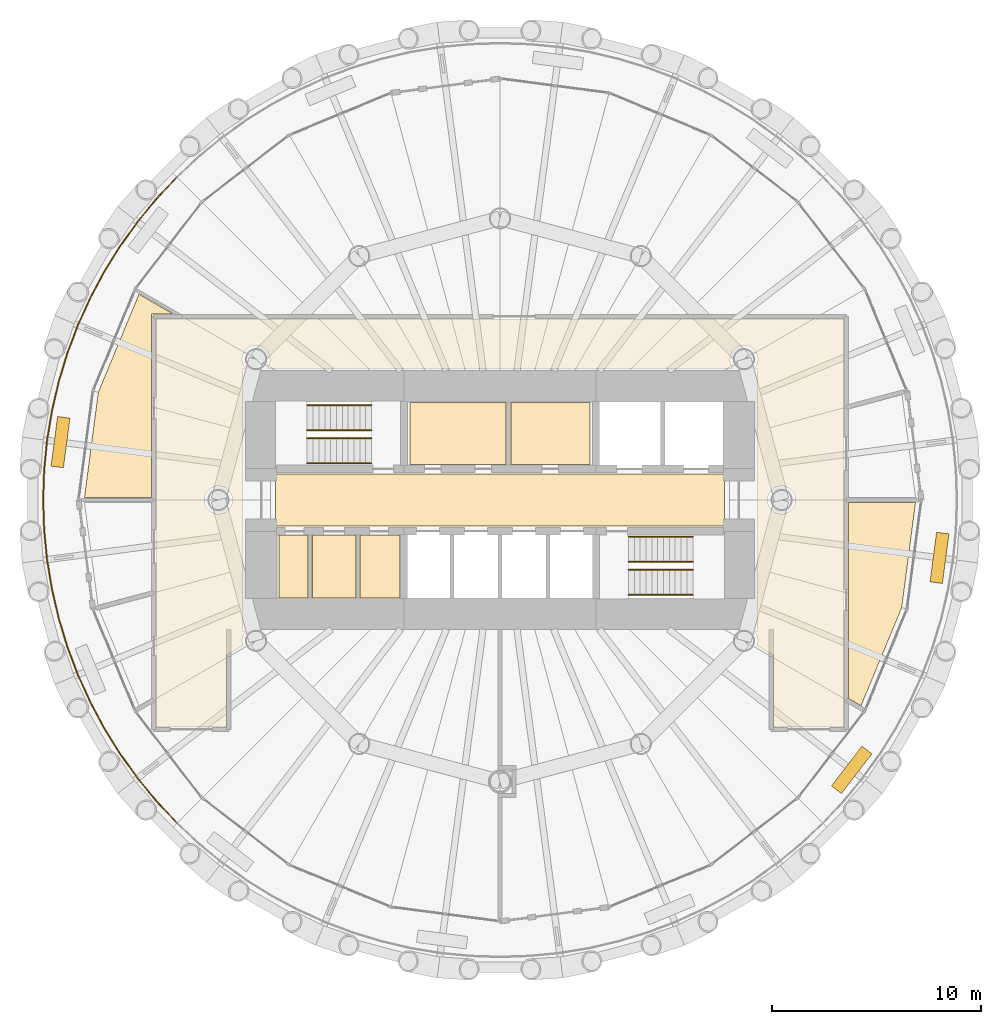
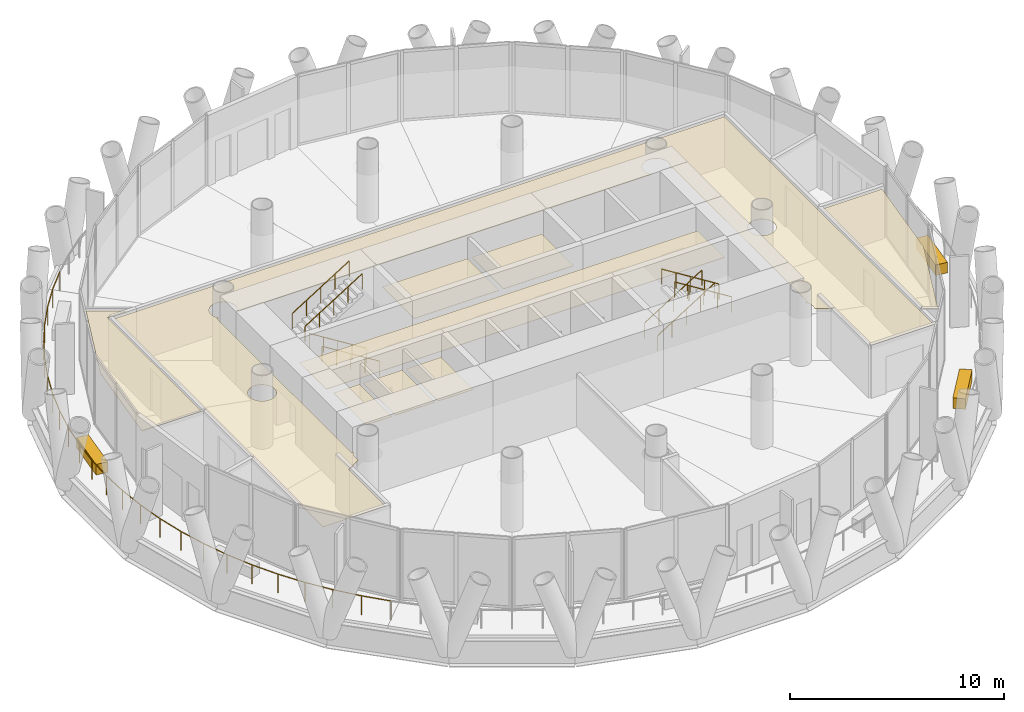
# One storey, part 12 of 13: 12 coverings, 9 railings.
"""IFC4 building model written with IfcOpenShell, lengths in metres."""

from ifc_helpers import new_model, si_unit, direction, frame, origin, origin_2d, place, context, subcontext, project, spatial, polyline, rectangle, circle, outline, extrude, material, layer, layer_set, type_object, element, save


model = new_model("IFC4")

# Units and contexts
model_context = context("Model", 3, precision=1e-05, world=origin(), true_north=direction((0.0, 1.0)))
body_context = subcontext(model_context, "Body", "Model", "MODEL_VIEW")
ifc_project = project(units=[si_unit("LENGTHUNIT", "METRE"), si_unit("AREAUNIT", "SQUARE_METRE"), si_unit("VOLUMEUNIT", "CUBIC_METRE"), si_unit("PLANEANGLEUNIT", "RADIAN"), si_unit("MASSUNIT", "GRAM", prefix="KILO")], contexts=[model_context])

# Site, building, storey
site_placement = place(None, origin())
site = spatial("IfcSite", under=ifc_project, at=site_placement, CompositionType="ELEMENT")
building_placement = place(site_placement, origin())
building = spatial("IfcBuilding", under=site, at=building_placement, Name="Qaws Media Tower", CompositionType="ELEMENT")
storey_placement = place(building_placement, frame((0.0, 0.0, 219.199951171875)))
storey = spatial("IfcBuildingStorey", under=building, at=storey_placement, Name="L50", CompositionType="ELEMENT", Elevation=219.199951171875)

# Covering
ifc_material_1 = material(Name="40 perforated acoustic panels with mineral wool backing, suspended", Category="mineral fibre")
ifc_layer_1 = layer(ifc_material_1, 0.0400390625)
ifc_layer_set_1 = layer_set([ifc_layer_1], Name="Acoustic panel ceiling 40")
covering_type_1 = type_object("IfcCoveringType", Name="Acoustic panel ceiling 40", PredefinedType="CEILING", material=ifc_layer_set_1)
covering_1_placement = place(storey_placement, frame((0.0, 0.0, 2.85009765625)))
element("IfcCovering", 1, at=covering_1_placement, inside=storey, type_object=covering_type_1, Name="CL3 ceiling L50-04 Meeting room", PredefinedType="CEILING", context=body_context, shape_type="SweptSolid", body=[
    extrude(outline(polyline([(40.743896484375, 55.15966796875), (42.692138671875, 59.86279296875), (44.338134765625, 58.91259765625), (43.28759765625, 58.91259765625), (43.28759765625, 50.112548828125), (40.07958984375, 50.112548828125), (40.743896484375, 55.15966796875)])), origin(), (0.0, 0.0, 1.0), 0.0400390625),
])

# Railing
ifc_material_2 = material(Name="Stainless steel and glass guard", Category="steel")
railing_type_1 = type_object("IfcRailingType", Name="Balcony guard 1100", PredefinedType="GUARDRAIL", material=ifc_material_2)
railing_placement = place(storey_placement, frame((44.514404296875, 65.485595703125, 0.0)))
element("IfcRailing", 2, at=railing_placement, inside=storey, type_object=railing_type_1, Name="GR1 balcony guard L50-2", PredefinedType="GUARDRAIL", context=body_context, shape_type="SweptSolid", body=[
    extrude(circle(Radius=0.02392578125, at=origin_2d()), frame((0.0, 0.0, 1.076171875), z_axis=(-0.683646399901, -0.729813400742, 0.0), x_axis=(0.729813400742, -0.683646399901, 0.0)), (0.0, 0.0, 1.0), 1.43310546875),
    extrude(circle(Radius=0.02392578125, at=origin_2d()), frame((-0.979736328125, -1.0458984375, 1.076171875), z_axis=(-0.634368818462, -0.773030531197, 0.0), x_axis=(0.773030531197, -0.634368818462, 0.0)), (0.0, 0.0, 1.0), 1.43310546875),
    extrude(circle(Radius=0.02392578125, at=origin_2d()), frame((-1.888916015625, -2.15380859375, 1.076171875), z_axis=(-0.582494553482, -0.812834605048, 0.0), x_axis=(0.812834605048, -0.582494553482, 0.0)), (0.0, 0.0, 1.0), 1.43310546875),
    extrude(circle(Radius=0.02392578125, at=origin_2d()), frame((-2.7236328125, -3.318603515625, 1.076171875), z_axis=(-0.52808355024, -0.849192418693, 0.0), x_axis=(0.849192418693, -0.52808355024, 0.0)), (0.0, 0.0, 1.0), 1.43310546875),
    extrude(circle(Radius=0.02392578125, at=origin_2d()), frame((-3.48046875, -4.53564453125, 1.076171875), z_axis=(-0.471374986643, -0.881932889719, 0.0), x_axis=(0.881932889719, -0.471374986643, 0.0)), (0.0, 0.0, 1.0), 1.43310546875),
    extrude(circle(Radius=0.02392578125, at=origin_2d()), frame((-4.156005859375, -5.799560546875, 1.076171875), z_axis=(-0.412672948505, -0.910879266188, 0.0), x_axis=(0.910879266188, -0.412672948505, 0.0)), (0.0, 0.0, 1.0), 1.432861328125),
    extrude(circle(Radius=0.02392578125, at=origin_2d()), frame((-4.747314453125, -7.104736328125, 1.076171875), z_axis=(-0.352280609414, -0.935894423656, 0.0), x_axis=(0.935894423656, -0.352280609414, 0.0)), (0.0, 0.0, 1.0), 1.43310546875),
    extrude(circle(Radius=0.02392578125, at=origin_2d()), frame((-5.252197265625, -8.446044921875, 1.076171875), z_axis=(-0.290300539864, -0.956935523719, 0.0), x_axis=(0.956935523719, -0.290300539864, 0.0)), (0.0, 0.0, 1.0), 1.43310546875),
    extrude(circle(Radius=0.02392578125, at=origin_2d()), frame((-5.668212890625, -9.8173828125, 1.076171875), z_axis=(-0.227073445694, -0.973877636185, 0.0), x_axis=(0.973877636185, -0.227073445694, 0.0)), (0.0, 0.0, 1.0), 1.43310546875),
    extrude(circle(Radius=0.02392578125, at=origin_2d()), frame((-5.99365234375, -11.213134765625, 1.076171875), z_axis=(-0.162879224656, -0.986646014625, 0.0), x_axis=(0.986646014625, -0.162879224656, 0.0)), (0.0, 0.0, 1.0), 1.432861328125),
    extrude(circle(Radius=0.02392578125, at=origin_2d()), frame((-6.22705078125, -12.626953125, 1.076171875), z_axis=(-0.097951885, -0.995191151601, 0.0), x_axis=(0.995191151601, -0.097951885, 0.0)), (0.0, 0.0, 1.0), 1.43310546875),
    extrude(circle(Radius=0.02392578125, at=origin_2d()), frame((-6.367431640625, -14.05322265625, 1.076171875), z_axis=(-0.032707903707, -0.99946495338, 0.0), x_axis=(0.99946495338, -0.032707903707, 0.0)), (0.0, 0.0, 1.0), 1.43310546875),
    extrude(circle(Radius=0.02392578125, at=origin_2d()), frame((-6.414306640625, -15.485595703125, 1.076171875), z_axis=(0.032707903707, -0.99946495338, 0.0), x_axis=(0.99946495338, 0.032707903707, 0.0)), (0.0, 0.0, 1.0), 1.43310546875),
    extrude(circle(Radius=0.02392578125, at=origin_2d()), frame((-6.367431640625, -16.91796875, 1.076171875), z_axis=(0.097951885, -0.995191151601, 0.0), x_axis=(0.995191151601, 0.097951885, 0.0)), (0.0, 0.0, 1.0), 1.43310546875),
    extrude(circle(Radius=0.02392578125, at=origin_2d()), frame((-6.22705078125, -18.34423828125, 1.076171875), z_axis=(0.162879224656, -0.986646014625, 0.0), x_axis=(0.986646014625, 0.162879224656, 0.0)), (0.0, 0.0, 1.0), 1.432861328125),
    extrude(circle(Radius=0.02392578125, at=origin_2d()), frame((-5.99365234375, -19.758056640625, 1.076171875), z_axis=(0.227073445694, -0.973877636185, 0.0), x_axis=(0.973877636185, 0.227073445694, 0.0)), (0.0, 0.0, 1.0), 1.43310546875),
    extrude(circle(Radius=0.02392578125, at=origin_2d()), frame((-5.668212890625, -21.15380859375, 1.076171875), z_axis=(0.290300539864, -0.956935523719, 0.0), x_axis=(0.956935523719, 0.290300539864, 0.0)), (0.0, 0.0, 1.0), 1.43310546875),
    extrude(circle(Radius=0.02392578125, at=origin_2d()), frame((-5.252197265625, -22.525146484375, 1.076171875), z_axis=(0.352280609414, -0.935894423656, 0.0), x_axis=(0.935894423656, 0.352280609414, 0.0)), (0.0, 0.0, 1.0), 1.43310546875),
    extrude(circle(Radius=0.02392578125, at=origin_2d()), frame((-4.747314453125, -23.866455078125, 1.076171875), z_axis=(0.412672948505, -0.910879266188, 0.0), x_axis=(0.910879266188, 0.412672948505, 0.0)), (0.0, 0.0, 1.0), 1.432861328125),
    extrude(circle(Radius=0.02392578125, at=origin_2d()), frame((-4.156005859375, -25.171630859375, 1.076171875), z_axis=(0.471374986643, -0.881932889719, 0.0), x_axis=(0.881932889719, 0.471374986643, 0.0)), (0.0, 0.0, 1.0), 1.43310546875),
    extrude(circle(Radius=0.02392578125, at=origin_2d()), frame((-3.48046875, -26.435546875, 1.076171875), z_axis=(0.52808355024, -0.849192418693, 0.0), x_axis=(0.849192418693, 0.52808355024, 0.0)), (0.0, 0.0, 1.0), 1.43310546875),
    extrude(circle(Radius=0.02392578125, at=origin_2d()), frame((-2.7236328125, -27.652587890625, 1.076171875), z_axis=(0.582494553482, -0.812834605048, 0.0), x_axis=(0.812834605048, 0.582494553482, 0.0)), (0.0, 0.0, 1.0), 1.43310546875),
    extrude(circle(Radius=0.02392578125, at=origin_2d()), frame((-1.888916015625, -28.8173828125, 1.076171875), z_axis=(0.634368818462, -0.773030531197, 0.0), x_axis=(0.773030531197, 0.634368818462, 0.0)), (0.0, 0.0, 1.0), 1.43310546875),
    extrude(circle(Radius=0.02392578125, at=origin_2d()), frame((-0.979736328125, -29.92529296875, 1.076171875), z_axis=(0.683646399901, -0.729813400742, 0.0), x_axis=(0.729813400742, 0.683646399901, 0.0)), (0.0, 0.0, 1.0), 1.43310546875),
    extrude(circle(Radius=0.02099609375, at=origin_2d()), origin(), (0.0, 0.0, 1.0), 1.052001953125),
    extrude(circle(Radius=0.02099609375, at=origin_2d()), frame((-0.979736328125, -1.0458984375, 0.0)), (0.0, 0.0, 1.0), 1.052001953125),
    extrude(circle(Radius=0.02099609375, at=origin_2d()), frame((-1.888916015625, -2.15380859375, 0.0)), (0.0, 0.0, 1.0), 1.052001953125),
    extrude(circle(Radius=0.02099609375, at=origin_2d()), frame((-2.7236328125, -3.318603515625, 0.0)), (0.0, 0.0, 1.0), 1.052001953125),
    extrude(circle(Radius=0.02099609375, at=origin_2d()), frame((-3.48046875, -4.53564453125, 0.0)), (0.0, 0.0, 1.0), 1.052001953125),
    extrude(circle(Radius=0.02099609375, at=origin_2d()), frame((-4.156005859375, -5.799560546875, 0.0)), (0.0, 0.0, 1.0), 1.052001953125),
    extrude(circle(Radius=0.02099609375, at=origin_2d()), frame((-4.747314453125, -7.104736328125, 0.0)), (0.0, 0.0, 1.0), 1.052001953125),
    extrude(circle(Radius=0.02099609375, at=origin_2d()), frame((-5.252197265625, -8.446044921875, 0.0)), (0.0, 0.0, 1.0), 1.052001953125),
    extrude(circle(Radius=0.02099609375, at=origin_2d()), frame((-5.668212890625, -9.8173828125, 0.0)), (0.0, 0.0, 1.0), 1.052001953125),
    extrude(circle(Radius=0.02099609375, at=origin_2d()), frame((-5.99365234375, -11.213134765625, 0.0)), (0.0, 0.0, 1.0), 1.052001953125),
    extrude(circle(Radius=0.02099609375, at=origin_2d()), frame((-6.22705078125, -12.626953125, 0.0)), (0.0, 0.0, 1.0), 1.052001953125),
    extrude(circle(Radius=0.02099609375, at=origin_2d()), frame((-6.367431640625, -14.05322265625, 0.0)), (0.0, 0.0, 1.0), 1.052001953125),
    extrude(circle(Radius=0.02099609375, at=origin_2d()), frame((-6.414306640625, -15.485595703125, 0.0)), (0.0, 0.0, 1.0), 1.052001953125),
    extrude(circle(Radius=0.02099609375, at=origin_2d()), frame((-6.367431640625, -16.91796875, 0.0)), (0.0, 0.0, 1.0), 1.052001953125),
    extrude(circle(Radius=0.02099609375, at=origin_2d()), frame((-6.22705078125, -18.34423828125, 0.0)), (0.0, 0.0, 1.0), 1.052001953125),
    extrude(circle(Radius=0.02099609375, at=origin_2d()), frame((-5.99365234375, -19.758056640625, 0.0)), (0.0, 0.0, 1.0), 1.052001953125),
    extrude(circle(Radius=0.02099609375, at=origin_2d()), frame((-5.668212890625, -21.15380859375, 0.0)), (0.0, 0.0, 1.0), 1.052001953125),
    extrude(circle(Radius=0.02099609375, at=origin_2d()), frame((-5.252197265625, -22.525146484375, 0.0)), (0.0, 0.0, 1.0), 1.052001953125),
    extrude(circle(Radius=0.02099609375, at=origin_2d()), frame((-4.747314453125, -23.866455078125, 0.0)), (0.0, 0.0, 1.0), 1.052001953125),
    extrude(circle(Radius=0.02099609375, at=origin_2d()), frame((-4.156005859375, -25.171630859375, 0.0)), (0.0, 0.0, 1.0), 1.052001953125),
    extrude(circle(Radius=0.02099609375, at=origin_2d()), frame((-3.48046875, -26.435546875, 0.0)), (0.0, 0.0, 1.0), 1.052001953125),
    extrude(circle(Radius=0.02099609375, at=origin_2d()), frame((-2.7236328125, -27.652587890625, 0.0)), (0.0, 0.0, 1.0), 1.052001953125),
    extrude(circle(Radius=0.02099609375, at=origin_2d()), frame((-1.888916015625, -28.8173828125, 0.0)), (0.0, 0.0, 1.0), 1.052001953125),
    extrude(circle(Radius=0.02099609375, at=origin_2d()), frame((-0.979736328125, -29.92529296875, 0.0)), (0.0, 0.0, 1.0), 1.052001953125),
    extrude(circle(Radius=0.02099609375, at=origin_2d()), frame((0.0, -30.97119140625, 0.0)), (0.0, 0.0, 1.0), 1.052001953125),
])

# Coverings
ifc_material_3 = material(Name="600 x 600 mineral fibre tiles in exposed grid, suspended", Category="mineral fibre")
ifc_layer_2 = layer(ifc_material_3, 0.02001953125)
ifc_layer_set_2 = layer_set([ifc_layer_2], Name="Mineral fibre tile ceiling 20")
covering_type_2 = type_object("IfcCoveringType", Name="Mineral fibre tile ceiling 20", PredefinedType="CEILING", material=ifc_layer_set_2)
covering_2_placement = place(storey_placement, frame((0.0, 0.0, 2.85009765625)))
element("IfcCovering", 3, at=covering_2_placement, inside=storey, type_object=covering_type_2, Name="CL1 ceiling L50-C07 Ladies toilets", PredefinedType="CEILING", context=body_context, shape_type="SweptSolid", body=[
    extrude(outline(polyline([(55.695068359375, 51.695068359375), (55.695068359375, 54.679931640625), (60.2822265625, 54.679931640625), (60.2822265625, 51.695068359375), (55.695068359375, 51.695068359375)])), origin(), (0.0, 0.0, 1.0), 0.02001953125),
])
covering_3_placement = place(storey_placement, frame((0.0, 0.0, 2.85009765625)))
element("IfcCovering", 4, at=covering_3_placement, inside=storey, type_object=covering_type_2, Name="CL1 ceiling L50-C08 Gents toilets", PredefinedType="CEILING", context=body_context, shape_type="SweptSolid", body=[
    extrude(outline(polyline([(60.522216796875, 51.695068359375), (60.522216796875, 54.679931640625), (64.304931640625, 54.679931640625), (64.304931640625, 51.695068359375), (60.522216796875, 51.695068359375)])), origin(), (0.0, 0.0, 1.0), 0.02001953125),
])
covering_4_placement = place(storey_placement, frame((0.0, 0.0, 2.85009765625)))
element("IfcCovering", 5, at=covering_4_placement, inside=storey, type_object=covering_type_2, Name="CL1 ceiling L50-01 Corridor", PredefinedType="CEILING", context=body_context, shape_type="SweptSolid", body=[
    extrude(outline(polyline([(43.512451171875, 39.112548828125), (43.512451171875, 58.6875), (76.487548828125, 58.6875), (76.487548828125, 39.112548828125), (73.112548828125, 39.112548828125), (73.112548828125, 42.559326171875), (72.31689453125, 43.018798828125), (72.336669921875, 43.0771484375), (72.353515625, 43.162841796875), (72.359375, 43.25), (72.353515625, 43.337158203125), (72.336669921875, 43.4228515625), (72.30859375, 43.505615234375), (72.269775390625, 43.583984375), (72.22119140625, 43.65673828125), (72.1943359375, 43.6875), (72.3125, 43.6875), (72.3125, 56.3125), (72.1943359375, 56.3125), (72.22119140625, 56.34326171875), (72.269775390625, 56.416015625), (72.30859375, 56.494384765625), (72.336669921875, 56.5771484375), (72.353515625, 56.662841796875), (72.359375, 56.75), (72.353515625, 56.837158203125), (72.336669921875, 56.9228515625), (72.30859375, 57.005615234375), (72.269775390625, 57.083984375), (72.22119140625, 57.15673828125), (72.163818359375, 57.222412109375), (72.097900390625, 57.280029296875), (72.025390625, 57.32861328125), (71.947021484375, 57.3671875), (71.8642578125, 57.395263671875), (71.778564453125, 57.412353515625), (71.69140625, 57.41796875), (71.604248046875, 57.412353515625), (71.5185546875, 57.395263671875), (71.435791015625, 57.3671875), (71.357421875, 57.32861328125), (71.28466796875, 57.280029296875), (71.218994140625, 57.222412109375), (71.161376953125, 57.15673828125), (71.11279296875, 57.083984375), (71.07421875, 57.005615234375), (71.046142578125, 56.9228515625), (71.029052734375, 56.837158203125), (71.023193359375, 56.75), (71.029052734375, 56.662841796875), (71.046142578125, 56.5771484375), (71.07421875, 56.494384765625), (71.11279296875, 56.416015625), (71.161376953125, 56.34326171875), (71.1884765625, 56.3125), (48.8115234375, 56.3125), (48.838623046875, 56.34326171875), (48.88720703125, 56.416015625), (48.92578125, 56.494384765625), (48.953857421875, 56.5771484375), (48.970947265625, 56.662841796875), (48.976806640625, 56.75), (48.970947265625, 56.837158203125), (48.953857421875, 56.9228515625), (48.92578125, 57.005615234375), (48.88720703125, 57.083984375), (48.838623046875, 57.15673828125), (48.781005859375, 57.222412109375), (48.71533203125, 57.280029296875), (48.642578125, 57.32861328125), (48.564208984375, 57.3671875), (48.4814453125, 57.395263671875), (48.395751953125, 57.412353515625), (48.30859375, 57.41796875), (48.221435546875, 57.412353515625), (48.1357421875, 57.395263671875), (48.052978515625, 57.3671875), (47.974609375, 57.32861328125), (47.902099609375, 57.280029296875), (47.836181640625, 57.222412109375), (47.77880859375, 57.15673828125), (47.730224609375, 57.083984375), (47.69140625, 57.005615234375), (47.663330078125, 56.9228515625), (47.646484375, 56.837158203125), (47.640625, 56.75), (47.646484375, 56.662841796875), (47.663330078125, 56.5771484375), (47.69140625, 56.494384765625), (47.730224609375, 56.416015625), (47.77880859375, 56.34326171875), (47.8056640625, 56.3125), (47.6875, 56.3125), (47.6875, 43.6875), (47.8056640625, 43.6875), (47.77880859375, 43.65673828125), (47.730224609375, 43.583984375), (47.69140625, 43.505615234375), (47.663330078125, 43.4228515625), (47.646484375, 43.337158203125), (47.640625, 43.25), (47.646484375, 43.162841796875), (47.663330078125, 43.0771484375), (47.68310546875, 43.018798828125), (46.887451171875, 42.559326171875), (46.887451171875, 39.112548828125), (43.512451171875, 39.112548828125)]), holes=[polyline([(47.1171875, 49.744384765625), (47.145263671875, 49.8271484375), (47.162353515625, 49.912841796875), (47.16796875, 50.0), (47.162353515625, 50.087158203125), (47.145263671875, 50.1728515625), (47.1171875, 50.255615234375), (47.07861328125, 50.333984375), (47.030029296875, 50.40673828125), (46.972412109375, 50.472412109375), (46.90673828125, 50.530029296875), (46.833984375, 50.57861328125), (46.755615234375, 50.6171875), (46.6728515625, 50.645263671875), (46.587158203125, 50.662353515625), (46.5, 50.66796875), (46.412841796875, 50.662353515625), (46.3271484375, 50.645263671875), (46.244384765625, 50.6171875), (46.166015625, 50.57861328125), (46.09326171875, 50.530029296875), (46.027587890625, 50.472412109375), (45.969970703125, 50.40673828125), (45.92138671875, 50.333984375), (45.8828125, 50.255615234375), (45.854736328125, 50.1728515625), (45.837646484375, 50.087158203125), (45.83203125, 50.0), (45.837646484375, 49.912841796875), (45.854736328125, 49.8271484375), (45.8828125, 49.744384765625), (45.92138671875, 49.666015625), (45.969970703125, 49.59326171875), (46.027587890625, 49.527587890625), (46.09326171875, 49.469970703125), (46.166015625, 49.42138671875), (46.244384765625, 49.3828125), (46.3271484375, 49.354736328125), (46.412841796875, 49.337646484375), (46.5, 49.33203125), (46.587158203125, 49.337646484375), (46.6728515625, 49.354736328125), (46.755615234375, 49.3828125), (46.833984375, 49.42138671875), (46.90673828125, 49.469970703125), (46.972412109375, 49.527587890625), (47.030029296875, 49.59326171875), (47.07861328125, 49.666015625), (47.1171875, 49.744384765625)]), polyline([(74.145263671875, 49.8271484375), (74.162353515625, 49.912841796875), (74.16796875, 50.0), (74.162353515625, 50.087158203125), (74.145263671875, 50.1728515625), (74.1171875, 50.255615234375), (74.07861328125, 50.333984375), (74.030029296875, 50.40673828125), (73.972412109375, 50.472412109375), (73.90673828125, 50.530029296875), (73.833984375, 50.57861328125), (73.755615234375, 50.6171875), (73.6728515625, 50.645263671875), (73.587158203125, 50.662353515625), (73.5, 50.66796875), (73.412841796875, 50.662353515625), (73.3271484375, 50.645263671875), (73.244384765625, 50.6171875), (73.166015625, 50.57861328125), (73.09326171875, 50.530029296875), (73.027587890625, 50.472412109375), (72.969970703125, 50.40673828125), (72.92138671875, 50.333984375), (72.8828125, 50.255615234375), (72.854736328125, 50.1728515625), (72.837646484375, 50.087158203125), (72.83203125, 50.0), (72.837646484375, 49.912841796875), (72.854736328125, 49.8271484375), (72.8828125, 49.744384765625), (72.92138671875, 49.666015625), (72.969970703125, 49.59326171875), (73.027587890625, 49.527587890625), (73.09326171875, 49.469970703125), (73.166015625, 49.42138671875), (73.244384765625, 49.3828125), (73.3271484375, 49.354736328125), (73.412841796875, 49.337646484375), (73.5, 49.33203125), (73.587158203125, 49.337646484375), (73.6728515625, 49.354736328125), (73.755615234375, 49.3828125), (73.833984375, 49.42138671875), (73.90673828125, 49.469970703125), (73.972412109375, 49.527587890625), (74.030029296875, 49.59326171875), (74.07861328125, 49.666015625), (74.1171875, 49.744384765625), (74.145263671875, 49.8271484375)])]), origin(), (0.0, 0.0, 1.0), 0.02001953125),
])
covering_5_placement = place(storey_placement, frame((0.0, 0.0, 2.85009765625)))
element("IfcCovering", 6, at=covering_5_placement, inside=storey, type_object=covering_type_2, Name="CL1 ceiling L50-09 Tenant office", PredefinedType="CEILING", context=body_context, shape_type="SweptSolid", body=[
    extrude(outline(polyline([(79.256103515625, 44.84033203125), (77.307861328125, 40.13720703125), (76.71240234375, 40.48095703125), (76.71240234375, 49.887451171875), (79.92041015625, 49.887451171875), (79.256103515625, 44.84033203125)])), origin(), (0.0, 0.0, 1.0), 0.02001953125),
])
covering_6_placement = place(storey_placement, frame((0.0, 0.0, 2.85009765625)))
element("IfcCovering", 7, at=covering_6_placement, inside=storey, type_object=covering_type_2, Name="CL1 ceiling L50-C04 Cleaner's room", PredefinedType="CEILING", context=body_context, shape_type="SweptSolid", body=[
    extrude(outline(polyline([(49.39990234375, 45.300048828125), (49.39990234375, 48.324951171875), (50.800048828125, 48.324951171875), (50.800048828125, 45.300048828125), (49.39990234375, 45.300048828125)])), origin(), (0.0, 0.0, 1.0), 0.02001953125),
])
covering_7_placement = place(storey_placement, frame((0.0, 0.0, 2.85009765625)))
element("IfcCovering", 8, at=covering_7_placement, inside=storey, type_object=covering_type_2, Name="CL1 ceiling L50-C06 Mothers' room", PredefinedType="CEILING", context=body_context, shape_type="SweptSolid", body=[
    extrude(outline(polyline([(53.300048828125, 45.300048828125), (53.300048828125, 48.324951171875), (55.199951171875, 48.324951171875), (55.199951171875, 45.300048828125), (53.300048828125, 45.300048828125)])), origin(), (0.0, 0.0, 1.0), 0.02001953125),
])
ifc_material_4 = material(Name="Precast concrete planter with trailing planting", Category="concrete")
ifc_layer_3 = layer(ifc_material_4, 0.60009765625)
ifc_layer_set_3 = layer_set([ifc_layer_3], Name="Planter 2400x600")
covering_type_3 = type_object("IfcCoveringType", Name="Planter 2400x600", PredefinedType="USERDEFINED", material=ifc_layer_set_3)
for number, where, z_axis, x_axis, name in (
    (9, (38.931884765625, 52.773681640625, 0.0), (0.0, 0.0, 1.0), (-0.13052619222, -0.991444861374, 0.0), "PL1 balcony planter L50-06"),
    (10, (76.858642578125, 37.063720703125, 0.0), (0.0, 0.0, 1.0), (0.608761429009, 0.793353340291, 0.0), "PL1 balcony planter L50-11"),
    (11, (81.068115234375, 47.226318359375, 0.0), (0.0, 0.0, 1.0), (0.13052619222, 0.991444861374, 0.0), "PL1 balcony planter L50-12"),
):
    element("IfcCovering", number, at=place(storey_placement, frame(where, z_axis=z_axis, x_axis=x_axis)), inside=storey, type_object=covering_type_3, Name=name, ObjectType="PLANTER", PredefinedType="USERDEFINED", context=body_context, shape_type="SweptSolid", body=[
        extrude(rectangle(XDim=2.39990234375, YDim=0.60009765625, at=origin_2d()), origin(), (0.0, 0.0, 1.0), 0.60009765625),
    ])
ifc_material_5 = material(Name="Two layers 12.5 moisture-resistant plasterboard on suspended metal furring", Category="gypsum")
ifc_layer_4 = layer(ifc_material_5, 0.02490234375)
ifc_layer_set_4 = layer_set([ifc_layer_4], Name="Plasterboard ceiling 25")
covering_type_4 = type_object("IfcCoveringType", Name="Plasterboard ceiling 25", PredefinedType="CEILING", material=ifc_layer_set_4)
covering_8_placement = place(storey_placement, frame((0.0, 0.0, 2.85009765625)))
element("IfcCovering", 12, at=covering_8_placement, inside=storey, type_object=covering_type_4, Name="CL2 ceiling L50-C01 Lift lobby", PredefinedType="CEILING", context=body_context, shape_type="SweptSolid", body=[
    extrude(outline(polyline([(49.25, 48.75), (49.25, 51.25), (70.75, 51.25), (70.75, 48.75), (49.25, 48.75)])), origin(), (0.0, 0.0, 1.0), 0.02490234375),
])
covering_9_placement = place(storey_placement, frame((0.0, 0.0, 2.85009765625)))
element("IfcCovering", 13, at=covering_9_placement, inside=storey, type_object=covering_type_4, Name="CL2 ceiling L50-C05 Accessible WC", PredefinedType="CEILING", context=body_context, shape_type="SweptSolid", body=[
    extrude(outline(polyline([(51.0, 45.300048828125), (51.0, 48.324951171875), (53.10009765625, 48.324951171875), (53.10009765625, 45.300048828125), (51.0, 45.300048828125)])), origin(), (0.0, 0.0, 1.0), 0.02490234375),
])

# Railings
ifc_material_6 = material(Name="Steel tube handrail", Category="steel")
railing_type_2 = type_object("IfcRailingType", Name="Stair handrail 900", PredefinedType="HANDRAIL", material=ifc_material_6)
for number, where, name in (
    (14, (53.840087890625, 51.75, 0.175048828125), "HR1 handrail S1 flight 1 L50"),
    (15, (53.840087890625, 52.9599609375, 0.175048828125), "HR1 handrail S1 flight 1 L50"),
):
    element("IfcRailing", number, at=place(storey_placement, frame(where)), inside=storey, type_object=railing_type_2, Name=name, PredefinedType="HANDRAIL", context=body_context, shape_type="SweptSolid", body=[
        extrude(circle(Radius=0.02392578125, at=origin_2d()), frame((0.0, 0.0, 0.8759765625), z_axis=(-0.847998304005, 0.0, 0.529998940003), x_axis=(0.0, -1.0, 0.0)), (0.0, 0.0, 1.0), 3.632080078125),
        extrude(circle(Radius=0.02099609375, at=origin_2d()), origin(), (0.0, 0.0, 1.0), 0.851806640625),
        extrude(circle(Radius=0.02099609375, at=origin_2d()), frame((-0.77001953125, 0.0, 0.481201171875)), (0.0, 0.0, 1.0), 0.851806640625),
        extrude(circle(Radius=0.02099609375, at=origin_2d()), frame((-1.5400390625, 0.0, 0.96240234375)), (0.0, 0.0, 1.0), 0.851806640625),
        extrude(circle(Radius=0.02099609375, at=origin_2d()), frame((-2.31005859375, 0.0, 1.44384765625)), (0.0, 0.0, 1.0), 0.851806640625),
        extrude(circle(Radius=0.02099609375, at=origin_2d()), frame((-3.080078125, 0.0, 1.925048828125)), (0.0, 0.0, 1.0), 0.851806640625),
    ])
for number, where, name in (
    (16, (50.760009765625, 54.550048828125, 2.275146484375), "HR1 handrail S1 flight 2 L50"),
    (17, (50.760009765625, 53.340087890625, 2.275146484375), "HR1 handrail S1 flight 2 L50"),
):
    element("IfcRailing", number, at=place(storey_placement, frame(where)), inside=storey, type_object=railing_type_2, Name=name, PredefinedType="HANDRAIL", context=body_context, shape_type="SweptSolid", body=[
        extrude(circle(Radius=0.02392578125, at=origin_2d()), frame((0.0, 0.0, 0.8759765625), z_axis=(0.848028513186, 0.0, 0.529950602248), x_axis=(0.0, 1.0, 0.0)), (0.0, 0.0, 1.0), 3.632080078125),
        extrude(circle(Radius=0.02099609375, at=origin_2d()), origin(), (0.0, 0.0, 1.0), 0.851806640625),
        extrude(circle(Radius=0.02099609375, at=origin_2d()), frame((0.77001953125, 0.0, 0.481201171875)), (0.0, 0.0, 1.0), 0.851806640625),
        extrude(circle(Radius=0.02099609375, at=origin_2d()), frame((1.5400390625, 0.0, 0.96240234375)), (0.0, 0.0, 1.0), 0.851806640625),
        extrude(circle(Radius=0.02099609375, at=origin_2d()), frame((2.31005859375, 0.0, 1.443603515625)), (0.0, 0.0, 1.0), 0.851806640625),
        extrude(circle(Radius=0.02099609375, at=origin_2d()), frame((3.080078125, 0.0, 1.9248046875)), (0.0, 0.0, 1.0), 0.851806640625),
    ])
for number, where, name in (
    (18, (66.159912109375, 48.25, 0.175048828125), "HR1 handrail S2 flight 1 L50"),
    (19, (66.159912109375, 47.0400390625, 0.175048828125), "HR1 handrail S2 flight 1 L50"),
):
    element("IfcRailing", number, at=place(storey_placement, frame(where)), inside=storey, type_object=railing_type_2, Name=name, PredefinedType="HANDRAIL", context=body_context, shape_type="SweptSolid", body=[
        extrude(circle(Radius=0.02392578125, at=origin_2d()), frame((0.0, 0.0, 0.8759765625), z_axis=(0.847998304005, 0.0, 0.529998940003), x_axis=(0.0, 1.0, 0.0)), (0.0, 0.0, 1.0), 3.632080078125),
        extrude(circle(Radius=0.02099609375, at=origin_2d()), origin(), (0.0, 0.0, 1.0), 0.851806640625),
        extrude(circle(Radius=0.02099609375, at=origin_2d()), frame((0.77001953125, 0.0, 0.481201171875)), (0.0, 0.0, 1.0), 0.851806640625),
        extrude(circle(Radius=0.02099609375, at=origin_2d()), frame((1.5400390625, 0.0, 0.96240234375)), (0.0, 0.0, 1.0), 0.851806640625),
        extrude(circle(Radius=0.02099609375, at=origin_2d()), frame((2.31005859375, 0.0, 1.44384765625)), (0.0, 0.0, 1.0), 0.851806640625),
        extrude(circle(Radius=0.02099609375, at=origin_2d()), frame((3.080078125, 0.0, 1.925048828125)), (0.0, 0.0, 1.0), 0.851806640625),
    ])
for number, where, name in (
    (20, (69.239990234375, 45.449951171875, 2.275146484375), "HR1 handrail S2 flight 2 L50"),
    (21, (69.239990234375, 46.659912109375, 2.275146484375), "HR1 handrail S2 flight 2 L50"),
):
    element("IfcRailing", number, at=place(storey_placement, frame(where)), inside=storey, type_object=railing_type_2, Name=name, PredefinedType="HANDRAIL", context=body_context, shape_type="SweptSolid", body=[
        extrude(circle(Radius=0.02392578125, at=origin_2d()), frame((0.0, 0.0, 0.8759765625), z_axis=(-0.848028513186, 0.0, 0.529950602248), x_axis=(0.0, -1.0, 0.0)), (0.0, 0.0, 1.0), 3.632080078125),
        extrude(circle(Radius=0.02099609375, at=origin_2d()), origin(), (0.0, 0.0, 1.0), 0.851806640625),
        extrude(circle(Radius=0.02099609375, at=origin_2d()), frame((-0.77001953125, 0.0, 0.481201171875)), (0.0, 0.0, 1.0), 0.851806640625),
        extrude(circle(Radius=0.02099609375, at=origin_2d()), frame((-1.5400390625, 0.0, 0.96240234375)), (0.0, 0.0, 1.0), 0.851806640625),
        extrude(circle(Radius=0.02099609375, at=origin_2d()), frame((-2.31005859375, 0.0, 1.443603515625)), (0.0, 0.0, 1.0), 0.851806640625),
        extrude(circle(Radius=0.02099609375, at=origin_2d()), frame((-3.080078125, 0.0, 1.9248046875)), (0.0, 0.0, 1.0), 0.851806640625),
    ])

save(model, "model.ifc")
